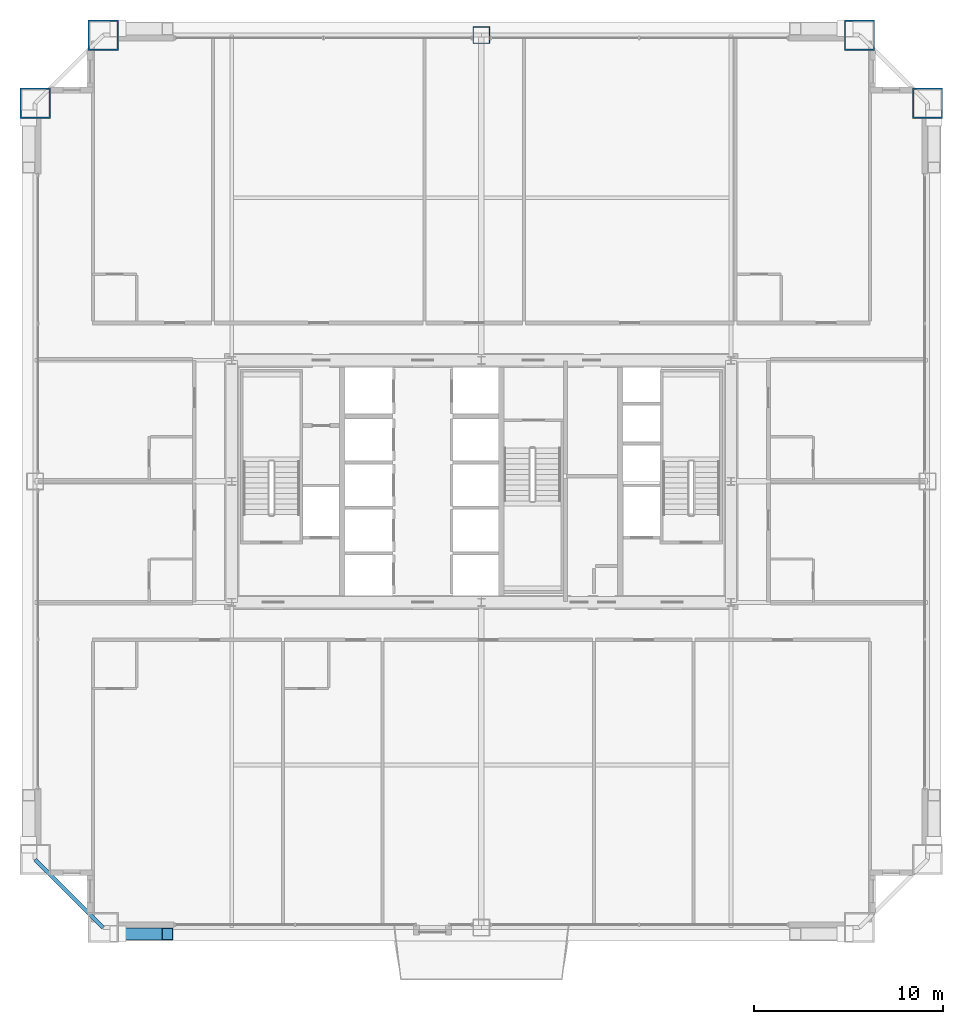
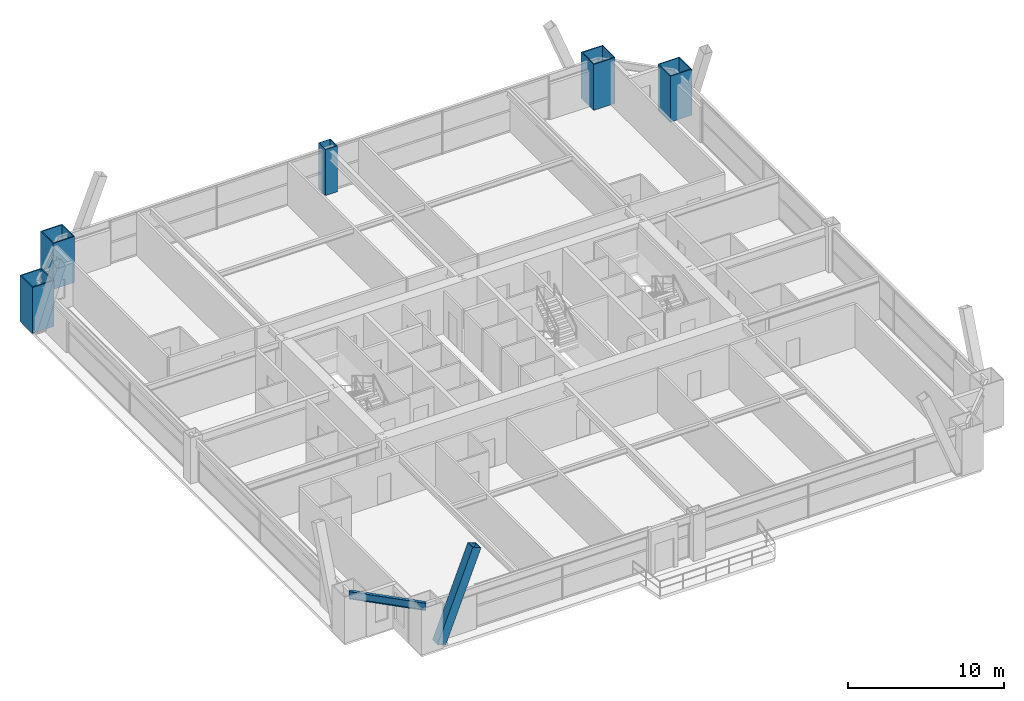
# One storey, part 3 of 43: 5 columns, 1 beam, 1 member.
"""IFC4 building model written with IfcOpenShell, lengths in metres."""

from ifc_helpers import new_model, si_unit, direction, frame, origin, origin_2d, place, context, subcontext, project, spatial, hollow_rectangle, i_section, extrude, source, transform, mapped, material, material_profile, profile_set, type_object, element, save


model = new_model("IFC4")

# Units and contexts
model_context = context("Model", 3, precision=1e-05, world=origin(), true_north=direction((0.0, 1.0)))
body_context = subcontext(model_context, "Body", "Model", "MODEL_VIEW")
ifc_project = project(units=[si_unit("LENGTHUNIT", "METRE"), si_unit("AREAUNIT", "SQUARE_METRE"), si_unit("VOLUMEUNIT", "CUBIC_METRE"), si_unit("PLANEANGLEUNIT", "RADIAN"), si_unit("MASSUNIT", "GRAM", prefix="KILO"), si_unit("THERMODYNAMICTEMPERATUREUNIT", "KELVIN"), si_unit("POWERUNIT", "WATT")], contexts=[model_context])

# Site, building, storey
site_placement = place(None, origin())
site = spatial("IfcSite", under=ifc_project, at=site_placement, CompositionType="ELEMENT")
building_placement = place(site_placement, origin())
building = spatial("IfcBuilding", under=site, at=building_placement, Name="Yuzanri Waterfront Tower", CompositionType="ELEMENT")
storey_placement = place(building_placement, frame((0.0, 0.0, 138.0)))
storey = spatial("IfcBuildingStorey", under=building, at=storey_placement, Name="L36", CompositionType="ELEMENT", Elevation=138.0)

# Columns
ifc_material_1 = material(Name="Steel Q390GJC", Category="steel")
ifc_material_profile_1 = material_profile(ifc_material_1, hollow_rectangle(XDim=0.89990234375, YDim=0.89990234375, WallThickness=0.0419921875, at=origin_2d()), Name="RHS 900x900x42")
ifc_profile_set_1 = profile_set([ifc_material_profile_1], Name="Steel Q390GJC")
column_type_1 = type_object("IfcColumnType", Name="Frame Column Q390GJC RHS 900x900x42", PredefinedType="COLUMN", material=ifc_profile_set_1)
shared_shape_1 = source(origin(), body_context, "Body", "SweptSolid", [
    extrude(hollow_rectangle(XDim=0.89990234375, YDim=0.89990234375, WallThickness=0.0419921875, at=origin_2d()), origin(), (0.0, 0.0, 1.0), 3.60009765625),
])
column_placement = place(storey_placement, frame((37.0, 49.39990234375, 0.0), z_axis=(0.0, 0.0, 1.0), x_axis=(1.0, 0.0, 0.0)))
element("IfcColumn", 1, at=column_placement, inside=storey, type_object=column_type_1, Name="L36 Perimeter Frame Column N2", PredefinedType="COLUMN", context=body_context, shape_type="MappedRepresentation", body=[
    mapped(shared_shape_1, transform((0.0, 0.0, 0.0), scale=1.0)),
])
ifc_material_2 = material(Name="Steel Q420GJC", Category="steel")
ifc_material_profile_2 = material_profile(ifc_material_2, hollow_rectangle(XDim=1.60009765625, YDim=1.60009765625, WallThickness=0.070068359375, at=origin_2d()), Name="RHS 1600x1600x70")
ifc_profile_set_2 = profile_set([ifc_material_profile_2], Name="Steel Q420GJC")
column_type_2 = type_object("IfcColumnType", Name="Mega Column Q420GJC RHS 1600x1600x70", PredefinedType="COLUMN", material=ifc_profile_set_2)
shared_shape_2 = source(origin(), body_context, "Body", "SweptSolid", [
    extrude(hollow_rectangle(XDim=1.60009765625, YDim=1.60009765625, WallThickness=0.070068359375, at=origin_2d()), origin(), (0.0, 0.0, 1.0), 3.60009765625),
])
for number, where, z_axis, x_axis, name in (
    (2, (17.0, 49.39990234375, 0.0), (0.0, 0.0, 1.0), (1.0, 0.0, 0.0), "L36 Perimeter Mega Column N1"),
    (3, (57.0, 49.39990234375, 0.0), (0.0, 0.0, 1.0), (1.0, 0.0, 0.0), "L36 Perimeter Mega Column N3"),
    (4, (13.39990234375, 45.800048828125, 0.0), (0.0, 0.0, 1.0), (1.0, 0.0, 0.0), "L36 Perimeter Mega Column W3"),
    (5, (60.60009765625, 45.800048828125, 0.0), (0.0, 0.0, 1.0), (1.0, 0.0, 0.0), "L36 Perimeter Mega Column E3"),
):
    element("IfcColumn", number, at=place(storey_placement, frame(where, z_axis=z_axis, x_axis=x_axis)), inside=storey, type_object=column_type_2, Name=name, PredefinedType="COLUMN", context=body_context, shape_type="MappedRepresentation", body=[
        mapped(shared_shape_2, transform((0.0, 0.0, 0.0), scale=1.0)),
    ])

# Beam
ifc_material_3 = material(Name="Steel Q355B", Category="steel")
ifc_material_profile_3 = material_profile(ifc_material_3, i_section(OverallWidth=0.199951171875, OverallDepth=0.60009765625, WebThickness=0.010986328125, FlangeThickness=0.01708984375, at=origin_2d()), Name="HN 600x200x11x17")
ifc_profile_set_3 = profile_set([ifc_material_profile_3], Name="Steel Q355B")
beam_type = type_object("IfcBeamType", Name="Perimeter Spandrel Q355B HN 600x200", PredefinedType="SPANDREL", material=ifc_profile_set_3)
shared_shape_3 = source(origin(), body_context, "Body", "SweptSolid", [
    extrude(i_section(OverallWidth=0.199951171875, OverallDepth=0.60009765625, WebThickness=0.010986328125, FlangeThickness=0.01708984375, at=origin_2d()), origin(), (0.0, 0.0, 1.0), 5.09130859375),
])
beam_placement = place(storey_placement, frame((13.39990234375, 5.800048828125, 3.080078125), z_axis=(0.707106781187, -0.707106781187, 0.0), x_axis=(0.707106781187, 0.707106781187, 0.0)))
element("IfcBeam", 6, at=beam_placement, inside=storey, type_object=beam_type, Name="L36 Perimeter Spandrel W1-S1", PredefinedType="SPANDREL", context=body_context, shape_type="MappedRepresentation", body=[
    mapped(shared_shape_3, transform((0.0, 0.0, 0.0), scale=1.0)),
])

# Member
ifc_material_4 = material(Name="Steel Q420GJC", Category="steel")
ifc_material_profile_4 = material_profile(ifc_material_4, hollow_rectangle(XDim=0.64990234375, YDim=0.64990234375, WallThickness=0.028076171875, at=origin_2d()), Name="RHS 650x650x28")
ifc_profile_set_4 = profile_set([ifc_material_profile_4], Name="Steel Q420GJC")
member_type = type_object("IfcMemberType", Name="Mega Brace Lower Q420GJC RHS 650x650x28", PredefinedType="BRACE", material=ifc_profile_set_4)
shared_shape_4 = source(origin(), body_context, "Body", "SweptSolid", [
    extrude(hollow_rectangle(XDim=0.64990234375, YDim=0.64990234375, WallThickness=0.028076171875, at=origin_2d()), origin(), (0.0, 0.0, 1.0), 7.19384765625),
])
member_placement = place(storey_placement, frame((17.780029296875, 1.860107421875, 0.179931640625), z_axis=(0.36417668996, 0.0, 0.9313298763), x_axis=(0.0, 1.0, 0.0)))
element("IfcMember", 7, at=member_placement, inside=storey, type_object=member_type, Name="L36-L37 Perimeter Mega-Brace S-L", PredefinedType="BRACE", context=body_context, shape_type="MappedRepresentation", body=[
    mapped(shared_shape_4, transform((0.0, 0.0, 0.0), scale=1.0)),
])

save(model, "model.ifc")
